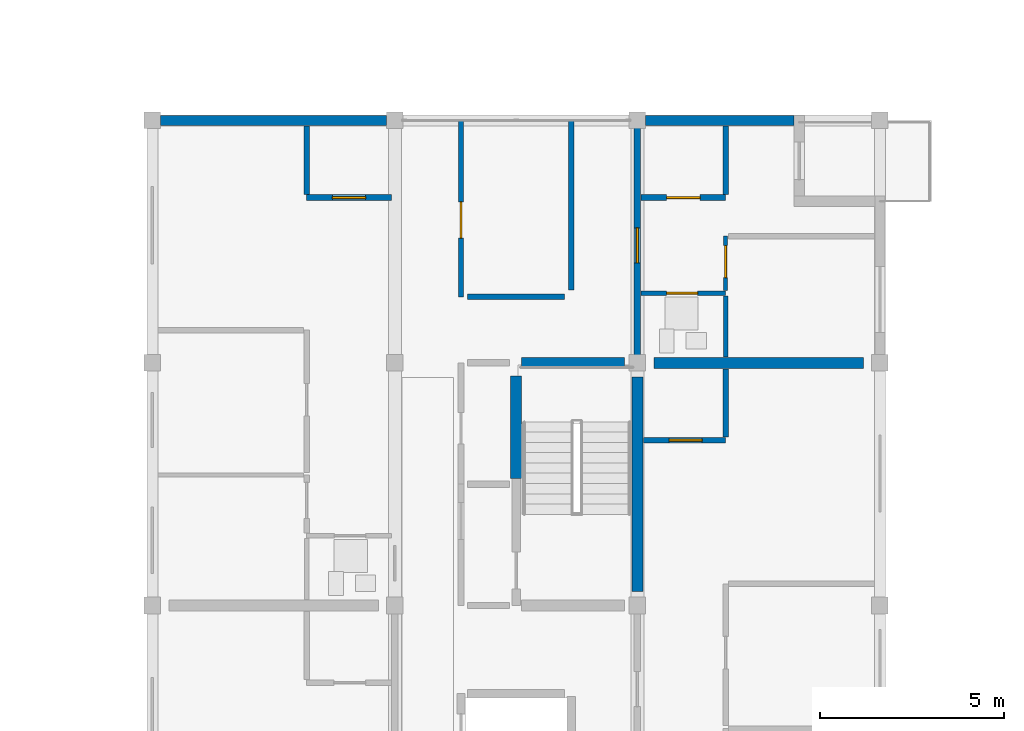
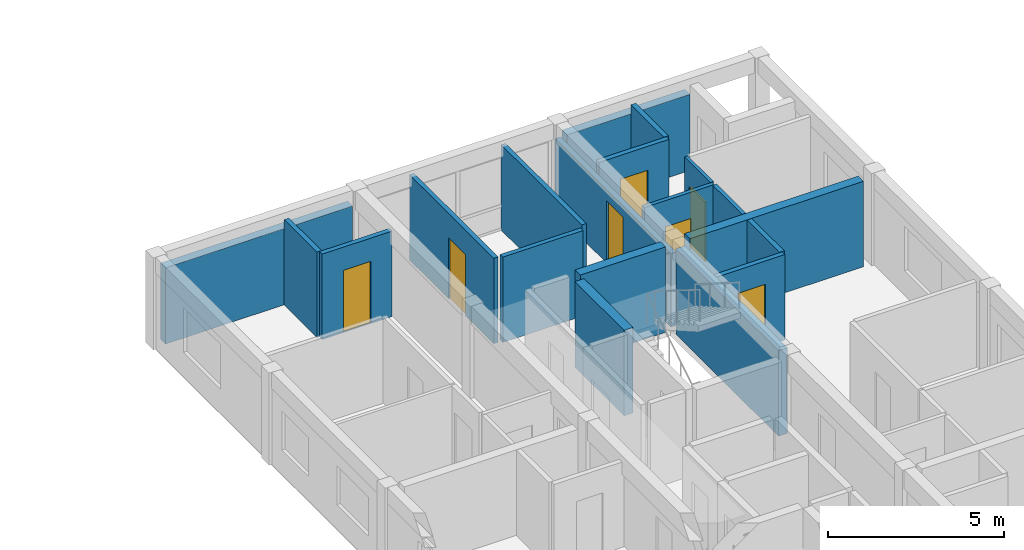
# One storey, part 30 of 46: 19 walls, 7 doors, 7 openings.
"""IFC4 building model written with IfcOpenShell, lengths in metres."""

from ifc_helpers import new_model, si_unit, direction, frame, frame_2d, origin, place, context, subcontext, project, spatial, rectangle, extrude, material, layer, layer_set, type_object, element, fill, save


model = new_model("IFC4")

# Units and contexts
model_context = context("Model", 3, precision=1e-05, world=origin(), true_north=direction((0.0, 1.0)))
body_context = subcontext(model_context, "Body", "Model", "MODEL_VIEW")
ifc_project = project(units=[si_unit("LENGTHUNIT", "METRE"), si_unit("AREAUNIT", "SQUARE_METRE"), si_unit("VOLUMEUNIT", "CUBIC_METRE"), si_unit("PLANEANGLEUNIT", "RADIAN"), si_unit("MASSUNIT", "GRAM", prefix="KILO")], contexts=[model_context])

# Site, building, storey
site_placement = place(None, origin())
site = spatial("IfcSite", under=ifc_project, at=site_placement, CompositionType="ELEMENT")
building_placement = place(site_placement, origin())
building = spatial("IfcBuilding", under=site, at=building_placement, Name="Kernevlak Ridge Housing Community", CompositionType="ELEMENT")
storey_placement = place(building_placement, frame((0.0, 0.0, 27.60009765625)))
storey = spatial("IfcBuildingStorey", under=building, at=storey_placement, Name="L08", CompositionType="ELEMENT", Elevation=27.60009765625)

# Walls
ifc_material_1 = material(Name="Concrete block masonry M10", Category="masonry")
ifc_layer_1 = layer(ifc_material_1, 0.280029296875, Name="Concrete block masonry M10")
ifc_layer_set_1 = layer_set([ifc_layer_1], Name="Concrete block masonry M10")
wall_type_1 = type_object("IfcWallType", Name="EW-03", PredefinedType="STANDARD", material=ifc_layer_set_1)
wall_1_placement = place(storey_placement, frame((126.22509765625, 42.0, 0.0), z_axis=(0.0, 0.0, 1.0), x_axis=(1.0, 0.0, 0.0)))
element("IfcWall", 1, at=wall_1_placement, inside=storey, type_object=wall_type_1, Name="Exterior wall EW-03 L08 654", PredefinedType="STANDARD", context=body_context, shape_type="SweptSolid", body=[
    extrude(rectangle(XDim=6.14990234375, YDim=0.280029296875, at=frame_2d((3.074951171875, 0.0))), origin(), (0.0, 0.0, 1.0), 2.64990234375),
])
wall_2_placement = place(storey_placement, frame((139.425048828125, 42.0, 0.0), z_axis=(0.0, 0.0, 1.0), x_axis=(1.0, 0.0, 0.0)))
element("IfcWall", 2, at=wall_2_placement, inside=storey, type_object=wall_type_1, Name="Exterior wall EW-03 L08 655", PredefinedType="STANDARD", context=body_context, shape_type="SweptSolid", body=[
    extrude(rectangle(XDim=4.034912109375, YDim=0.280029296875, at=frame_2d((2.017578125, 0.0))), origin(), (0.0, 0.0, 1.0), 2.64990234375),
])

# Wall, opening, door
ifc_layer_2 = layer(ifc_material_1, 0.175048828125, Name="Concrete block masonry M10")
ifc_layer_set_2 = layer_set([ifc_layer_2], Name="Concrete block masonry M10")
wall_type_2 = type_object("IfcWallType", Name="PW-02", PredefinedType="PARTITIONING", material=ifc_layer_set_2)
wall_3_placement = place(storey_placement, frame((139.199951171875, 35.39990234375, 0.0), z_axis=(0.0, 0.0, 1.0), x_axis=(0.0, 1.0, 0.0)))
wall_3 = element("IfcWall", 3, at=wall_3_placement, inside=storey, type_object=wall_type_2, Name="Interior wall PW-02 WAL-INT-L08-2661", PredefinedType="PARTITIONING", context=body_context, shape_type="SweptSolid", body=[
    extrude(rectangle(XDim=6.60009765625, YDim=0.175048828125, at=frame_2d((3.300048828125, 0.0))), origin(), (0.0, 0.0, 1.0), 2.5498046875),
])
opening_1_placement = place(wall_3_placement, frame((2.72509765625, 0.0, 0.0)))
opening_1 = element("IfcOpeningElement", 4, at=opening_1_placement, cuts=wall_3, Name="Opening E349", PredefinedType="OPENING", context=body_context, shape_type="SweptSolid", body=[
    extrude(rectangle(XDim=0.949951171875, YDim=2.159912109375, at=frame_2d((0.47509765625, 1.080078125))), frame((0.0, 0.097412109375, 0.0), z_axis=(0.0, -1.0, 0.0), x_axis=(1.0, 0.0, 0.0)), (0.0, 0.0, 1.0), 0.195068359375),
])
ifc_material_2 = material(Name="Hardwood timber solid-core fire leaf", Category="wood")
door_type_1 = type_object("IfcDoorType", Name="DT-02", OperationType="NOTDEFINED", PredefinedType="DOOR", material=ifc_material_2)
door_1_placement = place(opening_1_placement, origin())
door_1 = element("IfcDoor", 5, at=door_1_placement, inside=storey, type_object=door_type_1, Name="Flat C0823 entrance fire door E349", OperationType="SINGLE_SWING_RIGHT", OverallHeight=2.159912109375, OverallWidth=0.949951171875, PredefinedType="DOOR", context=body_context, shape_type="SweptSolid", body=[
    extrude(rectangle(XDim=0.949951171875, YDim=2.159912109375, at=frame_2d((0.47509765625, 1.080078125))), frame((0.0, 0.02490234375, 0.0), z_axis=(0.0, -1.0, 0.0), x_axis=(1.0, 0.0, 0.0)), (0.0, 0.0, 1.0), 0.050048828125),
])
fill(opening_1, door_1)

ifc_layer_3 = layer(ifc_material_1, 0.14501953125, Name="Concrete block masonry M10")
ifc_layer_set_3 = layer_set([ifc_layer_3], Name="Concrete block masonry M10")
wall_type_3 = type_object("IfcWallType", Name="PW-03", PredefinedType="PARTITIONING", material=ifc_layer_set_3)
wall_4_placement = place(storey_placement, frame((134.39990234375, 37.199951171875, 0.0), z_axis=(0.0, 0.0, 1.0), x_axis=(0.0, 1.0, 0.0)))
wall_4 = element("IfcWall", 6, at=wall_4_placement, inside=storey, type_object=wall_type_3, Name="Interior wall PW-03 WAL-INT-L08-2623", PredefinedType="PARTITIONING", context=body_context, shape_type="SweptSolid", body=[
    extrude(rectangle(XDim=4.800048828125, YDim=0.14501953125, at=frame_2d((2.39990234375, 0.0))), origin(), (0.0, 0.0, 1.0), 2.969970703125),
])
opening_2_placement = place(wall_4_placement, frame((1.60009765625, 0.0, 0.0)))
opening_2 = element("IfcOpeningElement", 7, at=opening_2_placement, cuts=wall_4, Name="Opening E329", PredefinedType="OPENING", context=body_context, shape_type="SweptSolid", body=[
    extrude(rectangle(XDim=0.97998046875, YDim=2.1201171875, at=frame_2d((0.489990234375, 1.06005859375))), frame((0.0, 0.08251953125, 0.0), z_axis=(0.0, -1.0, 0.0), x_axis=(1.0, 0.0, 0.0)), (0.0, 0.0, 1.0), 0.1650390625),
])
ifc_material_3 = material(Name="Hardwood timber leaf", Category="wood")
door_type_2 = type_object("IfcDoorType", Name="DT-24", OperationType="NOTDEFINED", PredefinedType="DOOR", material=ifc_material_3)
door_2_placement = place(opening_2_placement, origin())
door_2 = element("IfcDoor", 8, at=door_2_placement, inside=storey, type_object=door_type_2, Name="Block C Laundry room door E329", OperationType="SINGLE_SWING_RIGHT", OverallHeight=2.1201171875, OverallWidth=0.97998046875, PredefinedType="DOOR", context=body_context, shape_type="SweptSolid", body=[
    extrude(rectangle(XDim=0.97998046875, YDim=2.1201171875, at=frame_2d((0.489990234375, 1.06005859375))), frame((0.0, 0.02490234375, 0.0), z_axis=(0.0, -1.0, 0.0), x_axis=(1.0, 0.0, 0.0)), (0.0, 0.0, 1.0), 0.050048828125),
])
fill(opening_2, door_2)

# Walls
wall_5_placement = place(storey_placement, frame((137.39990234375, 37.3798828125, 0.0), z_axis=(0.0, 0.0, 1.0), x_axis=(0.0, 1.0, 0.0)))
element("IfcWall", 9, at=wall_5_placement, inside=storey, type_object=wall_type_3, Name="Interior wall PW-03 WAL-INT-L08-2624", PredefinedType="PARTITIONING", context=body_context, shape_type="SweptSolid", body=[
    extrude(rectangle(XDim=4.60009765625, YDim=0.14501953125, at=frame_2d((2.300048828125, 0.0))), origin(), (0.0, 0.0, 1.0), 2.969970703125),
])
wall_6_placement = place(storey_placement, frame((134.580078125, 37.199951171875, 0.0), z_axis=(0.0, 0.0, 1.0), x_axis=(1.0, 0.0, 0.0)))
element("IfcWall", 10, at=wall_6_placement, inside=storey, type_object=wall_type_3, Name="Interior wall PW-03 WAL-INT-L08-2625", PredefinedType="PARTITIONING", context=body_context, shape_type="SweptSolid", body=[
    extrude(rectangle(XDim=2.639892578125, YDim=0.14501953125, at=frame_2d((1.31982421875, 0.0))), origin(), (0.0, 0.0, 1.0), 2.969970703125),
])

# Wall, opening, door
ifc_material_4 = material(Name="Gypsum plasterboard EN 520", Category="gypsum")
ifc_layer_4 = layer(ifc_material_4, 0.125, Name="Gypsum plasterboard EN 520")
ifc_layer_set_4 = layer_set([ifc_layer_4], Name="Gypsum plasterboard EN 520")
wall_type_4 = type_object("IfcWallType", Name="PW-04", PredefinedType="PARTITIONING", material=ifc_layer_set_4)
wall_7_placement = place(storey_placement, frame((139.297607421875, 37.300048828125, 0.0), z_axis=(0.0, 0.0, 1.0), x_axis=(1.0, 0.0, 0.0)))
wall_7 = element("IfcWall", 11, at=wall_7_placement, inside=storey, type_object=wall_type_4, Name="Interior wall PW-04 WAL-INT-L08-2662", PredefinedType="PARTITIONING", context=body_context, shape_type="SweptSolid", body=[
    extrude(rectangle(XDim=2.302490234375, YDim=0.125, at=frame_2d((1.1513671875, 0.0))), origin(), (0.0, 0.0, 1.0), 2.969970703125),
])
opening_3_placement = place(wall_7_placement, frame((0.699951171875, 0.0, 0.0)))
opening_3 = element("IfcOpeningElement", 12, at=opening_3_placement, cuts=wall_7, Name="Opening E350", PredefinedType="OPENING", context=body_context, shape_type="SweptSolid", body=[
    extrude(rectangle(XDim=0.840087890625, YDim=2.06005859375, at=frame_2d((0.419921875, 1.030029296875))), frame((0.0, 0.072509765625, 0.0), z_axis=(0.0, -1.0, 0.0), x_axis=(1.0, 0.0, 0.0)), (0.0, 0.0, 1.0), 0.14501953125),
])
ifc_material_5 = material(Name="Hardwood timber moisture-resistant leaf", Category="wood")
door_type_3 = type_object("IfcDoorType", Name="DT-27", OperationType="NOTDEFINED", PredefinedType="DOOR", material=ifc_material_5)
door_3_placement = place(opening_3_placement, origin())
door_3 = element("IfcDoor", 13, at=door_3_placement, inside=storey, type_object=door_type_3, Name="Flat C0823 bathroom door E350", OperationType="SINGLE_SWING_LEFT", OverallHeight=2.06005859375, OverallWidth=0.840087890625, PredefinedType="DOOR", context=body_context, shape_type="SweptSolid", body=[
    extrude(rectangle(XDim=0.840087890625, YDim=2.06005859375, at=frame_2d((0.419921875, 1.030029296875))), frame((0.0, 0.02490234375, 0.0), z_axis=(0.0, -1.0, 0.0), x_axis=(1.0, 0.0, 0.0)), (0.0, 0.0, 1.0), 0.050048828125),
])
fill(opening_3, door_3)

# Wall
wall_8_placement = place(storey_placement, frame((141.60009765625, 35.56005859375, 0.0), z_axis=(0.0, 0.0, 1.0), x_axis=(0.0, 1.0, 0.0)))
element("IfcWall", 14, at=wall_8_placement, inside=storey, type_object=wall_type_4, Name="Interior wall PW-04 WAL-INT-L08-2663", PredefinedType="PARTITIONING", context=body_context, shape_type="SweptSolid", body=[
    extrude(rectangle(XDim=1.659912109375, YDim=0.125, at=frame_2d((0.830078125, 0.0))), origin(), (0.0, 0.0, 1.0), 2.969970703125),
])

# Wall, opening, door
ifc_layer_5 = layer(ifc_material_4, 0.155029296875, Name="Gypsum plasterboard EN 520")
ifc_layer_set_5 = layer_set([ifc_layer_5], Name="Gypsum plasterboard EN 520")
wall_type_5 = type_object("IfcWallType", Name="PW-05", PredefinedType="PARTITIONING", material=ifc_layer_set_5)
wall_9_placement = place(storey_placement, frame((132.50244140625, 39.89990234375, 0.0), z_axis=(0.0, 0.0, 1.0), x_axis=(-1.0, 0.0, 0.0)))
wall_9 = element("IfcWall", 15, at=wall_9_placement, inside=storey, type_object=wall_type_5, Name="Interior wall PW-05 WAL-INT-L08-2638", PredefinedType="PARTITIONING", context=body_context, shape_type="SweptSolid", body=[
    extrude(rectangle(XDim=2.302490234375, YDim=0.155029296875, at=frame_2d((1.1513671875, 0.0))), origin(), (0.0, 0.0, 1.0), 2.969970703125),
])
opening_4_placement = place(wall_9_placement, frame((0.699951171875, 0.0, 0.0)))
opening_4 = element("IfcOpeningElement", 16, at=opening_4_placement, cuts=wall_9, Name="Opening E337", PredefinedType="OPENING", context=body_context, shape_type="SweptSolid", body=[
    extrude(rectangle(XDim=0.89990234375, YDim=2.159912109375, at=frame_2d((0.449951171875, 1.080078125))), frame((0.0, 0.08740234375, 0.0), z_axis=(0.0, -1.0, 0.0), x_axis=(1.0, 0.0, 0.0)), (0.0, 0.0, 1.0), 0.175048828125),
])
door_type_4 = type_object("IfcDoorType", Name="DT-22", OperationType="NOTDEFINED", PredefinedType="DOOR", material=ifc_material_3)
door_4_placement = place(opening_4_placement, origin())
door_4 = element("IfcDoor", 17, at=door_4_placement, inside=storey, type_object=door_type_4, Name="Flat C0812 kitchen door E337", OperationType="SINGLE_SWING_RIGHT", OverallHeight=2.159912109375, OverallWidth=0.89990234375, PredefinedType="DOOR", context=body_context, shape_type="SweptSolid", body=[
    extrude(rectangle(XDim=0.89990234375, YDim=2.159912109375, at=frame_2d((0.449951171875, 1.080078125))), frame((0.0, 0.02490234375, 0.0), z_axis=(0.0, -1.0, 0.0), x_axis=(1.0, 0.0, 0.0)), (0.0, 0.0, 1.0), 0.050048828125),
])
fill(opening_4, door_4)

# Wall
wall_10_placement = place(storey_placement, frame((130.199951171875, 39.987548828125, 0.0), z_axis=(0.0, 0.0, 1.0), x_axis=(0.0, 1.0, 0.0)))
element("IfcWall", 18, at=wall_10_placement, inside=storey, type_object=wall_type_5, Name="Interior wall PW-05 WAL-INT-L08-2639", PredefinedType="PARTITIONING", context=body_context, shape_type="SweptSolid", body=[
    extrude(rectangle(XDim=1.862548828125, YDim=0.155029296875, at=frame_2d((0.93115234375, 0.0))), origin(), (0.0, 0.0, 1.0), 2.969970703125),
])

# Wall, opening, door
wall_11_placement = place(storey_placement, frame((139.360107421875, 33.300048828125, 0.0), z_axis=(0.0, 0.0, 1.0), x_axis=(1.0, 0.0, 0.0)))
wall_11 = element("IfcWall", 19, at=wall_11_placement, inside=storey, type_object=wall_type_5, Name="Interior wall PW-05 WAL-INT-L08-2655", PredefinedType="PARTITIONING", context=body_context, shape_type="SweptSolid", body=[
    extrude(rectangle(XDim=2.239990234375, YDim=0.155029296875, at=frame_2d((1.1201171875, 0.0))), origin(), (0.0, 0.0, 1.0), 2.969970703125),
])
opening_5_placement = place(wall_11_placement, frame((0.699951171875, 0.0, 0.0)))
opening_5 = element("IfcOpeningElement", 20, at=opening_5_placement, cuts=wall_11, Name="Opening E346", PredefinedType="OPENING", context=body_context, shape_type="SweptSolid", body=[
    extrude(rectangle(XDim=0.89990234375, YDim=2.159912109375, at=frame_2d((0.449951171875, 1.080078125))), frame((0.0, 0.08740234375, 0.0), z_axis=(0.0, -1.0, 0.0), x_axis=(1.0, 0.0, 0.0)), (0.0, 0.0, 1.0), 0.175048828125),
])
door_5_placement = place(opening_5_placement, origin())
door_5 = element("IfcDoor", 21, at=door_5_placement, inside=storey, type_object=door_type_4, Name="Flat C0822 kitchen door E346", OperationType="SINGLE_SWING_LEFT", OverallHeight=2.159912109375, OverallWidth=0.89990234375, PredefinedType="DOOR", context=body_context, shape_type="SweptSolid", body=[
    extrude(rectangle(XDim=0.89990234375, YDim=2.159912109375, at=frame_2d((0.449951171875, 1.080078125))), frame((0.0, 0.02490234375, 0.0), z_axis=(0.0, -1.0, 0.0), x_axis=(1.0, 0.0, 0.0)), (0.0, 0.0, 1.0), 0.050048828125),
])
fill(opening_5, door_5)

# Wall
wall_12_placement = place(storey_placement, frame((141.60009765625, 33.387451171875, 0.0), z_axis=(0.0, 0.0, 1.0), x_axis=(0.0, 1.0, 0.0)))
element("IfcWall", 22, at=wall_12_placement, inside=storey, type_object=wall_type_5, Name="Interior wall PW-05 WAL-INT-L08-2656", PredefinedType="PARTITIONING", context=body_context, shape_type="SweptSolid", body=[
    extrude(rectangle(XDim=1.8525390625, YDim=0.155029296875, at=frame_2d((0.92626953125, 0.0))), origin(), (0.0, 0.0, 1.0), 2.969970703125),
])

# Wall, opening, door
wall_13_placement = place(storey_placement, frame((139.297607421875, 39.89990234375, 0.0), z_axis=(0.0, 0.0, 1.0), x_axis=(1.0, 0.0, 0.0)))
wall_13 = element("IfcWall", 23, at=wall_13_placement, inside=storey, type_object=wall_type_5, Name="Interior wall PW-05 WAL-INT-L08-2664", PredefinedType="PARTITIONING", context=body_context, shape_type="SweptSolid", body=[
    extrude(rectangle(XDim=2.302490234375, YDim=0.155029296875, at=frame_2d((1.1513671875, 0.0))), origin(), (0.0, 0.0, 1.0), 2.969970703125),
])
opening_6_placement = place(wall_13_placement, frame((0.699951171875, 0.0, 0.0)))
opening_6 = element("IfcOpeningElement", 24, at=opening_6_placement, cuts=wall_13, Name="Opening E351", PredefinedType="OPENING", context=body_context, shape_type="SweptSolid", body=[
    extrude(rectangle(XDim=0.909912109375, YDim=2.139892578125, at=frame_2d((0.455078125, 1.06982421875))), frame((0.0, 0.08740234375, 0.0), z_axis=(0.0, -1.0, 0.0), x_axis=(1.0, 0.0, 0.0)), (0.0, 0.0, 1.0), 0.175048828125),
])
door_type_5 = type_object("IfcDoorType", Name="DT-31", OperationType="NOTDEFINED", PredefinedType="DOOR", material=ifc_material_3)
door_6_placement = place(opening_6_placement, origin())
door_6 = element("IfcDoor", 25, at=door_6_placement, inside=storey, type_object=door_type_5, Name="Flat C0823 kitchen door E351", OperationType="SINGLE_SWING_RIGHT", OverallHeight=2.139892578125, OverallWidth=0.909912109375, PredefinedType="DOOR", context=body_context, shape_type="SweptSolid", body=[
    extrude(rectangle(XDim=0.909912109375, YDim=2.139892578125, at=frame_2d((0.455078125, 1.06982421875))), frame((0.0, 0.02490234375, 0.0), z_axis=(0.0, -1.0, 0.0), x_axis=(1.0, 0.0, 0.0)), (0.0, 0.0, 1.0), 0.050048828125),
])
fill(opening_6, door_6)

# Wall
wall_14_placement = place(storey_placement, frame((141.60009765625, 39.987548828125, 0.0), z_axis=(0.0, 0.0, 1.0), x_axis=(0.0, 1.0, 0.0)))
element("IfcWall", 26, at=wall_14_placement, inside=storey, type_object=wall_type_5, Name="Interior wall PW-05 WAL-INT-L08-2665", PredefinedType="PARTITIONING", context=body_context, shape_type="SweptSolid", body=[
    extrude(rectangle(XDim=1.862548828125, YDim=0.155029296875, at=frame_2d((0.93115234375, 0.0))), origin(), (0.0, 0.0, 1.0), 2.969970703125),
])

# Wall, opening, door
ifc_layer_6 = layer(ifc_material_4, 0.10498046875, Name="Gypsum plasterboard EN 520")
ifc_layer_set_6 = layer_set([ifc_layer_6], Name="Gypsum plasterboard EN 520")
wall_type_6 = type_object("IfcWallType", Name="PW-06", PredefinedType="PARTITIONING", material=ifc_layer_set_6)
wall_15_placement = place(storey_placement, frame((141.60009765625, 37.37255859375, 0.0), z_axis=(0.0, 0.0, 1.0), x_axis=(0.0, 1.0, 0.0)))
wall_15 = element("IfcWall", 27, at=wall_15_placement, inside=storey, type_object=wall_type_6, Name="Interior wall PW-06 WAL-INT-L08-2666", PredefinedType="PARTITIONING", context=body_context, shape_type="SweptSolid", body=[
    extrude(rectangle(XDim=1.4775390625, YDim=0.10498046875, at=frame_2d((0.73876953125, 0.0))), origin(), (0.0, 0.0, 1.0), 2.969970703125),
])
opening_7_placement = place(wall_15_placement, frame((0.35009765625, 0.0, 0.0)))
opening_7 = element("IfcOpeningElement", 28, at=opening_7_placement, cuts=wall_15, Name="Opening E352", PredefinedType="OPENING", context=body_context, shape_type="SweptSolid", body=[
    extrude(rectangle(XDim=0.8701171875, YDim=2.080078125, at=frame_2d((0.43505859375, 1.0400390625))), frame((0.0, 0.0625, 0.0), z_axis=(0.0, -1.0, 0.0), x_axis=(1.0, 0.0, 0.0)), (0.0, 0.0, 1.0), 0.125),
])
door_type_6 = type_object("IfcDoorType", Name="DT-32", OperationType="NOTDEFINED", PredefinedType="DOOR", material=ifc_material_3)
door_7_placement = place(opening_7_placement, origin())
door_7 = element("IfcDoor", 29, at=door_7_placement, inside=storey, type_object=door_type_6, Name="Flat C0823 bedroom door E352", OperationType="SINGLE_SWING_LEFT", OverallHeight=2.080078125, OverallWidth=0.8701171875, PredefinedType="DOOR", context=body_context, shape_type="SweptSolid", body=[
    extrude(rectangle(XDim=0.8701171875, YDim=2.080078125, at=frame_2d((0.43505859375, 1.0400390625))), frame((0.0, 0.02490234375, 0.0), z_axis=(0.0, -1.0, 0.0), x_axis=(1.0, 0.0, 0.0)), (0.0, 0.0, 1.0), 0.050048828125),
])
fill(opening_7, door_7)

# Walls
ifc_material_6 = material(Name="Concrete C40/50", Category="concrete")
ifc_layer_7 = layer(ifc_material_6, 0.300048828125, Name="Concrete C40/50")
ifc_layer_set_7 = layer_set([ifc_layer_7], Name="Concrete C40/50")
wall_type_7 = type_object("IfcWallType", Name="SW-02", PredefinedType="SHEAR", material=ifc_layer_set_7)
wall_16_placement = place(storey_placement, frame((139.199951171875, 29.179931640625, 0.0), z_axis=(0.0, 0.0, 1.0), x_axis=(0.0, 1.0, 0.0)))
element("IfcWall", 30, at=wall_16_placement, inside=storey, type_object=wall_type_7, Name="Shear wall SW-02 Block C L08 454", PredefinedType="SHEAR", context=body_context, shape_type="SweptSolid", body=[
    extrude(rectangle(XDim=5.840087890625, YDim=0.300048828125, at=frame_2d((2.919921875, 0.0))), origin(), (0.0, 0.0, 1.0), 2.969970703125),
])
for number, where, z_axis, x_axis, name in (
    (31, (135.89990234375, 32.25, 0.0), (0.0, 0.0, 1.0), (0.0, 1.0, 0.0), "Shear wall SW-02 Block C L08 455"),
    (32, (136.050048828125, 35.39990234375, 0.0), (0.0, 0.0, 1.0), (1.0, 0.0, 0.0), "Shear wall SW-02 Block C L08 457"),
):
    element("IfcWall", number, at=place(storey_placement, frame(where, z_axis=z_axis, x_axis=x_axis)), inside=storey, type_object=wall_type_7, Name=name, PredefinedType="SHEAR", context=body_context, shape_type="SweptSolid", body=[
        extrude(rectangle(XDim=2.800048828125, YDim=0.300048828125, at=frame_2d((1.39990234375, 0.0))), origin(), (0.0, 0.0, 1.0), 2.969970703125),
    ])
wall_17_placement = place(storey_placement, frame((139.64990234375, 35.39990234375, 0.0), z_axis=(0.0, 0.0, 1.0), x_axis=(1.0, 0.0, 0.0)))
element("IfcWall", 33, at=wall_17_placement, inside=storey, type_object=wall_type_7, Name="Shear wall SW-02 Block C L08 460", PredefinedType="SHEAR", context=body_context, shape_type="SweptSolid", body=[
    extrude(rectangle(XDim=5.7001953125, YDim=0.300048828125, at=frame_2d((2.85009765625, 0.0))), origin(), (0.0, 0.0, 1.0), 2.969970703125),
])

save(model, "model.ifc")
